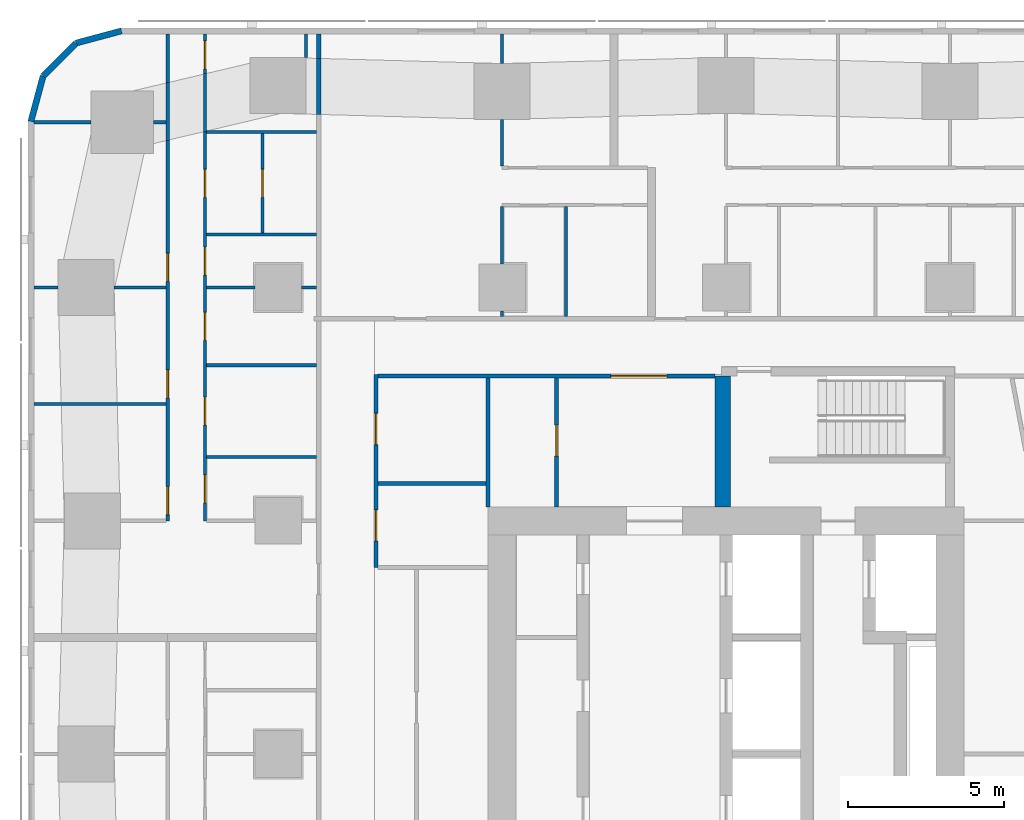
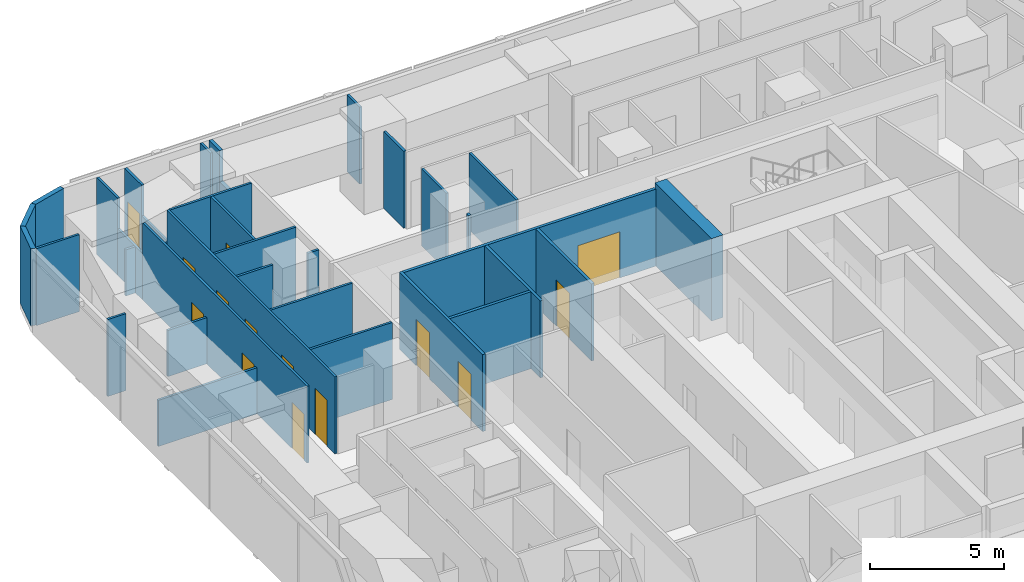
# One storey, part 9 of 15: 35 walls, 14 doors, 14 openings.
"""IFC4 building model written with IfcOpenShell, lengths in metres."""

import ifcopenshell
import ifcopenshell.guid

model = None  # the IFC model being written
_history = None  # IfcOwnerHistory: only IFC2X3 demands one
_inside = {}  # id of a spatial element -> (the spatial element, [elements in it])
_under = {}  # id of a project, library or spatial element -> (it, [spatial elements below it])
_declared = {}  # id of a project -> (the project, [libraries it declares])
_typed = {}  # id of a type object -> (the type object, [elements of that type])
_made_of = {}  # id of a material, layer set ... -> (it, [elements and type objects made of it])


def new_model(schema):
    """Start an empty IFC model of exactly this schema.

    Asked for "IFC4X3", IfcOpenShell would pick the latest addendum, in which some entities
    have other attributes; the version numbers below select the first issue.
    IFC2X3 requires an IfcOwnerHistory on every rooted entity: one is made here for all.
    """
    global model, _history
    if schema == "IFC4X3":
        model = ifcopenshell.file(schema_version=(4, 3, 0, 0))
    else:
        model = ifcopenshell.file(schema=schema)
    _inside.clear()
    _under.clear()
    _declared.clear()
    _typed.clear()
    _made_of.clear()
    _history = None
    if model.schema == "IFC2X3":
        org = make("IfcOrganization", Name="unknown")
        user = make(
            "IfcPersonAndOrganization",
            ThePerson=make("IfcPerson", FamilyName="unknown"),
            TheOrganization=org,
        )
        app = make(
            "IfcApplication",
            ApplicationDeveloper=org,
            Version="unknown",
            ApplicationFullName="unknown",
            ApplicationIdentifier="unknown",
        )
        _history = make(
            "IfcOwnerHistory",
            OwningUser=user,
            OwningApplication=app,
            ChangeAction="ADDED",
            CreationDate=0,
        )
    return model


def make(cls, **values):
    """One entity of the class cls with the attributes given. An attribute that is None is left unset."""
    return model.create_entity(
        cls, **{name: value for name, value in values.items() if value is not None}
    )


def rooted(cls, **values):
    """An entity with a GlobalId (a new one), such as an element, a storey or a relation."""
    return make(cls, GlobalId=ifcopenshell.guid.new(), OwnerHistory=_history, **values)


def si_unit(unit_type, name, prefix=None):
    """IfcSIUnit, for example si_unit("LENGTHUNIT", "METRE", prefix="MILLI")."""
    return make("IfcSIUnit", UnitType=unit_type, Prefix=prefix, Name=name)


def assignment(units):
    """IfcUnitAssignment: the units of a project."""
    return None if units is None else make("IfcUnitAssignment", Units=units)


def point(xyz):
    """IfcCartesianPoint."""
    return None if xyz is None else make("IfcCartesianPoint", Coordinates=xyz)


def direction(xyz):
    """IfcDirection."""
    return None if xyz is None else make("IfcDirection", DirectionRatios=xyz)


def frame(location, z_axis=None, x_axis=None):
    """IfcAxis2Placement3D, a coordinate frame: its origin and axes. An axis left out is left unset."""
    return make(
        "IfcAxis2Placement3D",
        Location=point(location),
        Axis=direction(z_axis),
        RefDirection=direction(x_axis),
    )


def frame_2d(location, x_axis=None):
    """IfcAxis2Placement2D, a coordinate frame in the plane: its origin and x axis."""
    return make(
        "IfcAxis2Placement2D", Location=point(location), RefDirection=direction(x_axis)
    )


def origin():
    """The frame at (0, 0, 0) with its axes left unset."""
    return frame((0.0, 0.0, 0.0))


def place(relative_to, where):
    """IfcLocalPlacement: puts the frame where relative to a parent placement (None: the world)."""
    return make(
        "IfcLocalPlacement", PlacementRelTo=relative_to, RelativePlacement=where
    )


def context(
    kind, dimensions, precision=None, world=None, true_north=None, identifier=None
):
    """IfcGeometricRepresentationContext, for example the 3D "Model" context."""
    return make(
        "IfcGeometricRepresentationContext",
        ContextIdentifier=identifier,
        ContextType=kind,
        CoordinateSpaceDimension=dimensions,
        Precision=precision,
        WorldCoordinateSystem=world,
        TrueNorth=true_north,
    )


def subcontext(parent, identifier, kind, view, scale=None):
    """IfcGeometricRepresentationSubContext, for example "Body" below "Model"."""
    return make(
        "IfcGeometricRepresentationSubContext",
        ContextIdentifier=identifier,
        ContextType=kind,
        ParentContext=parent,
        TargetScale=scale,
        TargetView=view,
    )


def project(units=None, contexts=None):
    """IfcProject with its units and contexts."""
    return rooted(
        "IfcProject",
        Name="project",
        RepresentationContexts=contexts,
        UnitsInContext=assignment(units),
    )


def spatial(cls, under=None, at=None, **own):
    """A site, building, storey or space (cls), placed at a placement, below another one or the project."""
    s = rooted(cls, ObjectPlacement=at, **own)
    if under is not None:
        _under.setdefault(under.id(), (under, []))[1].append(s)
    return s


def profile(cls, at=None, kind="AREA", **sizes):
    """A parametric profile (cls). Its sizes go by their IFC names, for example OverallWidth=200.0."""
    return make(cls, ProfileType=kind, Position=at, **sizes)


def rectangle(**sizes):
    """IfcRectangleProfileDef."""
    return profile("IfcRectangleProfileDef", **sizes)


def extrude(swept, where, along, depth):
    """IfcExtrudedAreaSolid: the profile swept, set in the frame where, extruded along a direction by depth."""
    return make(
        "IfcExtrudedAreaSolid",
        SweptArea=swept,
        Position=where,
        ExtrudedDirection=direction(along),
        Depth=depth,
    )


def shape(context_of_items, identifier, shape_type, items):
    """IfcShapeRepresentation: the items that make up one representation, for example the "Body"."""
    return make(
        "IfcShapeRepresentation",
        ContextOfItems=context_of_items,
        RepresentationIdentifier=identifier,
        RepresentationType=shape_type,
        Items=items,
    )


def material(Name=None, Category=None):
    """IfcMaterial."""
    return make("IfcMaterial", Name=Name, Category=Category)


def layer(
    of_material, thickness, ventilated=None, Name=None, Category=None, Priority=None
):
    """IfcMaterialLayer: one layer of a wall or slab, of a material (None: an air gap)."""
    return make(
        "IfcMaterialLayer",
        Material=of_material,
        LayerThickness=thickness,
        IsVentilated=ventilated,
        Name=Name,
        Category=Category,
        Priority=Priority,
    )


def layer_set(layers, Name=None):
    """IfcMaterialLayerSet."""
    return make("IfcMaterialLayerSet", MaterialLayers=layers, LayerSetName=Name)


def made_of(thing, what):
    """Note that an element or type object is made of a material, layer set ...; save() writes the relation."""
    if what is not None:
        _made_of.setdefault(what.id(), (what, []))[1].append(thing)
    return thing


def type_object(cls, material=None, **own):
    """A type object (cls), such as IfcWallType, which elements share."""
    return made_of(rooted(cls, **own), material)


def element(
    cls,
    number,
    at=None,
    inside=None,
    cuts=None,
    type_object=None,
    material=None,
    context=None,
    identifier="Body",
    shape_type=None,
    held_by="IfcProductDefinitionShape",
    body=None,
    shapes=None,
    **own,
):
    """One element of the class cls, such as IfcWall. Its Tag is "e" and its number.

    at: its placement. inside: the storey or other place that contains it. cuts: it is an
    opening in that element (IfcRelVoidsElement). A single representation is given by context,
    identifier, shape_type and body (its items); several are given by shapes. held_by: the class
    of the entity that holds the representations. save() writes the other relations.
    """
    e = rooted(cls, Tag="e%d" % number, ObjectPlacement=at, **own)
    if body is not None:
        shapes = [shape(context, identifier, shape_type, body)]
    if shapes is not None:
        e.Representation = make(held_by, Representations=shapes)
    if inside is not None:
        _inside.setdefault(inside.id(), (inside, []))[1].append(e)
    if cuts is not None:
        rooted(
            "IfcRelVoidsElement", RelatingBuildingElement=cuts, RelatedOpeningElement=e
        )
    if type_object is not None:
        _typed.setdefault(type_object.id(), (type_object, []))[1].append(e)
    return made_of(e, material)


def fill(opening, filler):
    """IfcRelFillsElement: the door or window that sits in an opening."""
    return rooted(
        "IfcRelFillsElement",
        RelatingOpeningElement=opening,
        RelatedBuildingElement=filler,
    )


def aggregate(whole, parts):
    """IfcRelAggregates: a whole, such as a stair, and the parts it consists of."""
    return rooted("IfcRelAggregates", RelatingObject=whole, RelatedObjects=parts)


def save(model, path):
    """Write the relations noted so far, then the file.

    IfcRelAggregates (storeys below a building ...), IfcRelContainedInSpatialStructure (elements
    in a storey), IfcRelDefinesByType, IfcRelAssociatesMaterial and IfcRelDeclares: one each for
    every whole, place, type object, material and project.
    """
    for whole, parts in _under.values():
        aggregate(whole, parts)
    for where, things in _inside.values():
        rooted(
            "IfcRelContainedInSpatialStructure",
            RelatedElements=things,
            RelatingStructure=where,
        )
    for kind, things in _typed.values():
        rooted("IfcRelDefinesByType", RelatedObjects=things, RelatingType=kind)
    for what, things in _made_of.values():
        rooted("IfcRelAssociatesMaterial", RelatedObjects=things, RelatingMaterial=what)
    for by, libraries in _declared.values():
        rooted("IfcRelDeclares", RelatingContext=by, RelatedDefinitions=libraries)
    model.write(path)


model = new_model("IFC4")

# Units and contexts
model_context = context("Model", 3, precision=1e-05, world=origin(), true_north=direction((0.0, 1.0)))
body_context = subcontext(model_context, "Body", "Model", "MODEL_VIEW")
ifc_project = project(units=[si_unit("LENGTHUNIT", "METRE"), si_unit("AREAUNIT", "SQUARE_METRE"), si_unit("VOLUMEUNIT", "CUBIC_METRE"), si_unit("PLANEANGLEUNIT", "RADIAN"), si_unit("MASSUNIT", "GRAM", prefix="KILO")], contexts=[model_context])

# Site, building, storey
site_placement = place(None, origin())
site = spatial("IfcSite", under=ifc_project, at=site_placement, CompositionType="ELEMENT")
building_placement = place(site_placement, origin())
building = spatial("IfcBuilding", under=site, at=building_placement, Name="Sheger Commons Tower", CompositionType="ELEMENT")
storey_placement = place(building_placement, frame((0.0, 0.0, 165.800048828125)))
storey = spatial("IfcBuildingStorey", under=building, at=storey_placement, Name="L42", CompositionType="ELEMENT", Elevation=165.800048828125)

# Walls
ifc_material_1 = material(Name="Hollow concrete block masonry, skimmed both sides", Category="masonry")
ifc_layer_1 = layer(ifc_material_1, 0.14990234375)
ifc_layer_set_1 = layer_set([ifc_layer_1], Name="CORRIDOR WALL 150")
wall_type_1 = type_object("IfcWallType", Name="CORRIDOR WALL 150", PredefinedType="SOLIDWALL", material=ifc_layer_set_1)
wall_1_placement = place(storey_placement, frame((8.5, 43.06103515625, 0.0), z_axis=(0.0, 0.0, 1.0), x_axis=(0.0, 1.0, 0.0)))
element("IfcWall", 1, at=wall_1_placement, inside=storey, type_object=wall_type_1, Name="Corridor wall L42", PredefinedType="SOLIDWALL", context=body_context, shape_type="SweptSolid", body=[
    extrude(rectangle(XDim=1.804931640625, YDim=0.14990234375, at=frame_2d((0.90234375, 0.0))), origin(), (0.0, 0.0, 1.0), 2.099853515625),
])
wall_2_placement = place(storey_placement, frame((8.5, 44.865966796875, 0.0), z_axis=(0.0, 0.0, 1.0), x_axis=(0.0, 1.0, 0.0)))
element("IfcWall", 2, at=wall_2_placement, inside=storey, type_object=wall_type_1, Name="Corridor wall L42", PredefinedType="SOLIDWALL", context=body_context, shape_type="SweptSolid", body=[
    extrude(rectangle(XDim=0.783935546875, YDim=0.14990234375, at=frame_2d((0.39208984375, 0.0))), origin(), (0.0, 0.0, 1.0), 3.5),
])
ifc_material_2 = material(Name="Rendered concrete block masonry, dark grey", Category="masonry")
ifc_layer_2 = layer(ifc_material_2, 0.199951171875)
ifc_layer_set_2 = layer_set([ifc_layer_2], Name="FACADE WALL 200")
wall_type_2 = type_object("IfcWallType", Name="FACADE WALL 200", PredefinedType="SOLIDWALL", material=ifc_layer_set_2)
wall_3_placement = place(storey_placement, frame((2.1630859375, 45.75, 0.0), z_axis=(0.0, 0.0, 1.0), x_axis=(-0.965832000415, -0.259168954497, 0.0)))
element("IfcWall", 3, at=wall_3_placement, inside=storey, type_object=wall_type_2, Name="Facade wall L42", PredefinedType="SOLIDWALL", context=body_context, shape_type="SweptSolid", body=[
    extrude(rectangle(XDim=1.512939453125, YDim=0.199951171875, at=frame_2d((0.75634765625, 0.0))), origin(), (0.0, 0.0, 1.0), 3.5),
])
wall_4_placement = place(storey_placement, frame((0.701904296875, 45.35791015625, 0.0), z_axis=(0.0, 0.0, 1.0), x_axis=(-0.707106781187, -0.707106781187, 0.0)))
element("IfcWall", 4, at=wall_4_placement, inside=storey, type_object=wall_type_2, Name="Facade wall L42", PredefinedType="SOLIDWALL", context=body_context, shape_type="SweptSolid", body=[
    extrude(rectangle(XDim=1.498779296875, YDim=0.199951171875, at=frame_2d((0.74951171875, 0.0))), origin(), (0.0, 0.0, 1.0), 3.5),
])
wall_5_placement = place(storey_placement, frame((-0.35791015625, 44.298095703125, 0.0), z_axis=(0.0, 0.0, 1.0), x_axis=(-0.259168954497, -0.965832000415, 0.0)))
element("IfcWall", 5, at=wall_5_placement, inside=storey, type_object=wall_type_2, Name="Facade wall L42", PredefinedType="SOLIDWALL", context=body_context, shape_type="SweptSolid", body=[
    extrude(rectangle(XDim=1.512939453125, YDim=0.199951171875, at=frame_2d((0.75634765625, 0.0))), origin(), (0.0, 0.0, 1.0), 3.5),
])
ifc_material_3 = material(Name="Gypsum board on steel studs", Category="steel")
ifc_layer_3 = layer(ifc_material_3, 0.10009765625)
ifc_layer_set_3 = layer_set([ifc_layer_3], Name="PARTITION 100")
wall_type_3 = type_object("IfcWallType", Name="PARTITION 100", PredefinedType="PARTITIONING", material=ifc_layer_set_3)
wall_6_placement = place(storey_placement, frame((8.10009765625, 45.64990234375, 0.0), z_axis=(0.0, 0.0, 1.0), x_axis=(0.0, -1.0, 0.0)))
element("IfcWall", 6, at=wall_6_placement, inside=storey, type_object=wall_type_3, Name="Partition L42", PredefinedType="PARTITIONING", context=body_context, shape_type="SweptSolid", body=[
    extrude(rectangle(XDim=0.7490234375, YDim=0.10009765625, at=frame_2d((0.37451171875, 0.0))), origin(), (0.0, 0.0, 1.0), 3.5),
])

# Wall, openings, doors
wall_7_placement = place(storey_placement, frame((3.64990234375, 30.0, 0.0), z_axis=(0.0, 0.0, 1.0), x_axis=(0.0, 1.0, 0.0)))
wall_7 = element("IfcWall", 7, at=wall_7_placement, inside=storey, type_object=wall_type_3, Name="Partition L42", PredefinedType="PARTITIONING", context=body_context, shape_type="SweptSolid", body=[
    extrude(rectangle(XDim=12.22412109375, YDim=0.10009765625, at=frame_2d((6.112060546875, 0.0))), origin(), (0.0, 0.0, 1.0), 3.5),
])
opening_1_placement = place(wall_7_placement, frame((0.199951171875, 0.0, 0.0)))
opening_1 = element("IfcOpeningElement", 8, at=opening_1_placement, cuts=wall_7, Name="Opening D2", PredefinedType="OPENING", context=body_context, shape_type="SweptSolid", body=[
    extrude(rectangle(XDim=0.89990234375, YDim=2.10009765625, at=frame_2d((0.449951171875, 1.050048828125))), frame((0.0, 0.06005859375, 0.0), z_axis=(0.0, -1.0, 0.0), x_axis=(1.0, 0.0, 0.0)), (0.0, 0.0, 1.0), 0.1201171875),
])
opening_2_placement = place(wall_7_placement, frame((3.949951171875, 0.0, 0.0)))
opening_2 = element("IfcOpeningElement", 9, at=opening_2_placement, cuts=wall_7, Name="Opening D2", PredefinedType="OPENING", context=body_context, shape_type="SweptSolid", body=[
    extrude(rectangle(XDim=0.89990234375, YDim=2.10009765625, at=frame_2d((0.449951171875, 1.050048828125))), frame((0.0, 0.06005859375, 0.0), z_axis=(0.0, -1.0, 0.0), x_axis=(1.0, 0.0, 0.0)), (0.0, 0.0, 1.0), 0.1201171875),
])
opening_3_placement = place(wall_7_placement, frame((7.699951171875, 0.0, 0.0)))
opening_3 = element("IfcOpeningElement", 10, at=opening_3_placement, cuts=wall_7, Name="Opening D2", PredefinedType="OPENING", context=body_context, shape_type="SweptSolid", body=[
    extrude(rectangle(XDim=0.89990234375, YDim=2.10009765625, at=frame_2d((0.449951171875, 1.050048828125))), frame((0.0, 0.06005859375, 0.0), z_axis=(0.0, -1.0, 0.0), x_axis=(1.0, 0.0, 0.0)), (0.0, 0.0, 1.0), 0.1201171875),
])
ifc_material_4 = material(Name="Timber door set", Category="wood")
door_type_1 = type_object("IfcDoorType", Name="INTERNAL DOOR 900x2100", OperationType="NOTDEFINED", PredefinedType="DOOR", material=ifc_material_4)
door_1_placement = place(opening_1_placement, origin())
door_1 = element("IfcDoor", 11, at=door_1_placement, inside=storey, type_object=door_type_1, Name="Main bedroom door", OperationType="SINGLE_SWING_LEFT", OverallHeight=2.10009765625, OverallWidth=0.89990234375, PredefinedType="DOOR", context=body_context, shape_type="SweptSolid", body=[
    extrude(rectangle(XDim=0.89990234375, YDim=2.10009765625, at=frame_2d((0.449951171875, 1.050048828125))), frame((0.0, 0.02490234375, 0.0), z_axis=(0.0, -1.0, 0.0), x_axis=(1.0, 0.0, 0.0)), (0.0, 0.0, 1.0), 0.050048828125),
])
fill(opening_1, door_1)
door_2_placement = place(opening_2_placement, origin())
door_2 = element("IfcDoor", 12, at=door_2_placement, inside=storey, type_object=door_type_1, Name="Bedroom 2 door", OperationType="SINGLE_SWING_LEFT", OverallHeight=2.10009765625, OverallWidth=0.89990234375, PredefinedType="DOOR", context=body_context, shape_type="SweptSolid", body=[
    extrude(rectangle(XDim=0.89990234375, YDim=2.10009765625, at=frame_2d((0.449951171875, 1.050048828125))), frame((0.0, 0.02490234375, 0.0), z_axis=(0.0, -1.0, 0.0), x_axis=(1.0, 0.0, 0.0)), (0.0, 0.0, 1.0), 0.050048828125),
])
fill(opening_2, door_2)
door_3_placement = place(opening_3_placement, origin())
door_3 = element("IfcDoor", 13, at=door_3_placement, inside=storey, type_object=door_type_1, Name="Bedroom 3 door", OperationType="SINGLE_SWING_LEFT", OverallHeight=2.10009765625, OverallWidth=0.89990234375, PredefinedType="DOOR", context=body_context, shape_type="SweptSolid", body=[
    extrude(rectangle(XDim=0.89990234375, YDim=2.10009765625, at=frame_2d((0.449951171875, 1.050048828125))), frame((0.0, 0.02490234375, 0.0), z_axis=(0.0, -1.0, 0.0), x_axis=(1.0, 0.0, 0.0)), (0.0, 0.0, 1.0), 0.050048828125),
])
fill(opening_3, door_3)

# Walls
wall_8_placement = place(storey_placement, frame((3.64990234375, 42.22412109375, 0.0), z_axis=(0.0, 0.0, 1.0), x_axis=(0.0, 1.0, 0.0)))
element("IfcWall", 14, at=wall_8_placement, inside=storey, type_object=wall_type_3, Name="Partition L42", PredefinedType="PARTITIONING", context=body_context, shape_type="SweptSolid", body=[
    extrude(rectangle(XDim=1.872802734375, YDim=0.10009765625, at=frame_2d((0.9365234375, 0.0))), origin(), (0.0, 0.0, 1.0), 2.099853515625),
])
wall_9_placement = place(storey_placement, frame((3.64990234375, 44.096923828125, 0.0), z_axis=(0.0, 0.0, 1.0), x_axis=(0.0, 1.0, 0.0)))
element("IfcWall", 15, at=wall_9_placement, inside=storey, type_object=wall_type_3, Name="Partition L42", PredefinedType="PARTITIONING", context=body_context, shape_type="SweptSolid", body=[
    extrude(rectangle(XDim=1.552978515625, YDim=0.10009765625, at=frame_2d((0.7763671875, 0.0))), origin(), (0.0, 0.0, 1.0), 3.5),
])

# Wall, openings, doors
wall_10_placement = place(storey_placement, frame((4.85009765625, 30.0, 0.0), z_axis=(0.0, 0.0, 1.0), x_axis=(0.0, 1.0, 0.0)))
wall_10 = element("IfcWall", 16, at=wall_10_placement, inside=storey, type_object=wall_type_3, Name="Partition L42", PredefinedType="PARTITIONING", context=body_context, shape_type="SweptSolid", body=[
    extrude(rectangle(XDim=12.507080078125, YDim=0.10009765625, at=frame_2d((6.25341796875, 0.0))), origin(), (0.0, 0.0, 1.0), 3.5),
])
opening_4_placement = place(wall_10_placement, frame((0.574951171875, 0.0, 0.0)))
opening_4 = element("IfcOpeningElement", 17, at=opening_4_placement, cuts=wall_10, Name="Opening D2", PredefinedType="OPENING", context=body_context, shape_type="SweptSolid", body=[
    extrude(rectangle(XDim=0.89990234375, YDim=2.10009765625, at=frame_2d((0.449951171875, 1.050048828125))), frame((0.0, 0.06005859375, 0.0), z_axis=(0.0, -1.0, 0.0), x_axis=(1.0, 0.0, 0.0)), (0.0, 0.0, 1.0), 0.1201171875),
])
opening_5_placement = place(wall_10_placement, frame((5.799072265625, 0.0, 0.0)))
opening_5 = element("IfcOpeningElement", 18, at=opening_5_placement, cuts=wall_10, Name="Opening D2", PredefinedType="OPENING", context=body_context, shape_type="SweptSolid", body=[
    extrude(rectangle(XDim=0.89990234375, YDim=2.10009765625, at=frame_2d((0.449951171875, 1.050048828125))), frame((0.0, 0.06005859375, 0.0), z_axis=(0.0, -1.0, 0.0), x_axis=(1.0, 0.0, 0.0)), (0.0, 0.0, 1.0), 0.1201171875),
])
opening_6_placement = place(wall_10_placement, frame((7.89990234375, 0.0, 0.0)))
opening_6 = element("IfcOpeningElement", 19, at=opening_6_placement, cuts=wall_10, Name="Opening D2", PredefinedType="OPENING", context=body_context, shape_type="SweptSolid", body=[
    extrude(rectangle(XDim=0.89990234375, YDim=2.10009765625, at=frame_2d((0.449951171875, 1.050048828125))), frame((0.0, 0.06005859375, 0.0), z_axis=(0.0, -1.0, 0.0), x_axis=(1.0, 0.0, 0.0)), (0.0, 0.0, 1.0), 0.1201171875),
])
opening_7_placement = place(wall_10_placement, frame((3.074951171875, 0.0, 0.0)))
opening_7 = element("IfcOpeningElement", 20, at=opening_7_placement, cuts=wall_10, Name="Opening D2", PredefinedType="OPENING", context=body_context, shape_type="SweptSolid", body=[
    extrude(rectangle(XDim=0.89990234375, YDim=2.10009765625, at=frame_2d((0.449951171875, 1.050048828125))), frame((0.0, 0.06005859375, 0.0), z_axis=(0.0, -1.0, 0.0), x_axis=(1.0, 0.0, 0.0)), (0.0, 0.0, 1.0), 0.1201171875),
])
opening_8_placement = place(wall_10_placement, frame((10.39990234375, 0.0, 0.0)))
opening_8 = element("IfcOpeningElement", 21, at=opening_8_placement, cuts=wall_10, Name="Opening D2", PredefinedType="OPENING", context=body_context, shape_type="SweptSolid", body=[
    extrude(rectangle(XDim=0.89990234375, YDim=2.10009765625, at=frame_2d((0.449951171875, 1.050048828125))), frame((0.0, 0.06005859375, 0.0), z_axis=(0.0, -1.0, 0.0), x_axis=(1.0, 0.0, 0.0)), (0.0, 0.0, 1.0), 0.1201171875),
])
door_4_placement = place(opening_4_placement, origin())
door_4 = element("IfcDoor", 22, at=door_4_placement, inside=storey, type_object=door_type_1, Name="Bathroom door", OperationType="SINGLE_SWING_RIGHT", OverallHeight=2.10009765625, OverallWidth=0.89990234375, PredefinedType="DOOR", context=body_context, shape_type="SweptSolid", body=[
    extrude(rectangle(XDim=0.89990234375, YDim=2.10009765625, at=frame_2d((0.449951171875, 1.050048828125))), frame((0.0, 0.02490234375, 0.0), z_axis=(0.0, -1.0, 0.0), x_axis=(1.0, 0.0, 0.0)), (0.0, 0.0, 1.0), 0.050048828125),
])
fill(opening_4, door_4)
door_5_placement = place(opening_5_placement, origin())
door_5 = element("IfcDoor", 23, at=door_5_placement, inside=storey, type_object=door_type_1, Name="Store and laundry door", OperationType="SINGLE_SWING_LEFT", OverallHeight=2.10009765625, OverallWidth=0.89990234375, PredefinedType="DOOR", context=body_context, shape_type="SweptSolid", body=[
    extrude(rectangle(XDim=0.89990234375, YDim=2.10009765625, at=frame_2d((0.449951171875, 1.050048828125))), frame((0.0, 0.02490234375, 0.0), z_axis=(0.0, -1.0, 0.0), x_axis=(1.0, 0.0, 0.0)), (0.0, 0.0, 1.0), 0.050048828125),
])
fill(opening_5, door_5)
door_6_placement = place(opening_6_placement, origin())
door_6 = element("IfcDoor", 24, at=door_6_placement, inside=storey, type_object=door_type_1, Name="Laundry room door", OperationType="SINGLE_SWING_LEFT", OverallHeight=2.10009765625, OverallWidth=0.89990234375, PredefinedType="DOOR", context=body_context, shape_type="SweptSolid", body=[
    extrude(rectangle(XDim=0.89990234375, YDim=2.10009765625, at=frame_2d((0.449951171875, 1.050048828125))), frame((0.0, 0.02490234375, 0.0), z_axis=(0.0, -1.0, 0.0), x_axis=(1.0, 0.0, 0.0)), (0.0, 0.0, 1.0), 0.050048828125),
])
fill(opening_6, door_6)
door_7_placement = place(opening_7_placement, origin())
door_7 = element("IfcDoor", 25, at=door_7_placement, inside=storey, type_object=door_type_1, Name="Store door", OperationType="SINGLE_SWING_RIGHT", OverallHeight=2.10009765625, OverallWidth=0.89990234375, PredefinedType="DOOR", context=body_context, shape_type="SweptSolid", body=[
    extrude(rectangle(XDim=0.89990234375, YDim=2.10009765625, at=frame_2d((0.449951171875, 1.050048828125))), frame((0.0, 0.02490234375, 0.0), z_axis=(0.0, -1.0, 0.0), x_axis=(1.0, 0.0, 0.0)), (0.0, 0.0, 1.0), 0.050048828125),
])
fill(opening_7, door_7)
door_8_placement = place(opening_8_placement, origin())
door_8 = element("IfcDoor", 26, at=door_8_placement, inside=storey, type_object=door_type_1, Name="Store door", OperationType="SINGLE_SWING_LEFT", OverallHeight=2.10009765625, OverallWidth=0.89990234375, PredefinedType="DOOR", context=body_context, shape_type="SweptSolid", body=[
    extrude(rectangle(XDim=0.89990234375, YDim=2.10009765625, at=frame_2d((0.449951171875, 1.050048828125))), frame((0.0, 0.02490234375, 0.0), z_axis=(0.0, -1.0, 0.0), x_axis=(1.0, 0.0, 0.0)), (0.0, 0.0, 1.0), 0.050048828125),
])
fill(opening_8, door_8)

# Wall
wall_11_placement = place(storey_placement, frame((4.85009765625, 42.507080078125, 0.0), z_axis=(0.0, 0.0, 1.0), x_axis=(0.0, 1.0, 0.0)))
element("IfcWall", 27, at=wall_11_placement, inside=storey, type_object=wall_type_3, Name="Partition L42", PredefinedType="PARTITIONING", context=body_context, shape_type="SweptSolid", body=[
    extrude(rectangle(XDim=1.8740234375, YDim=0.10009765625, at=frame_2d((0.93701171875, 0.0))), origin(), (0.0, 0.0, 1.0), 2.099853515625),
])

# Wall, opening, door
wall_12_placement = place(storey_placement, frame((4.85009765625, 44.381103515625, 0.0), z_axis=(0.0, 0.0, 1.0), x_axis=(0.0, 1.0, 0.0)))
wall_12 = element("IfcWall", 28, at=wall_12_placement, inside=storey, type_object=wall_type_3, Name="Partition L42", PredefinedType="PARTITIONING", context=body_context, shape_type="SweptSolid", body=[
    extrude(rectangle(XDim=1.268798828125, YDim=0.10009765625, at=frame_2d((0.63427734375, 0.0))), origin(), (0.0, 0.0, 1.0), 3.5),
])
opening_9_placement = place(wall_12_placement, frame((0.14990234375, 0.0, 0.0)))
opening_9 = element("IfcOpeningElement", 29, at=opening_9_placement, cuts=wall_12, Name="Opening D2", PredefinedType="OPENING", context=body_context, shape_type="SweptSolid", body=[
    extrude(rectangle(XDim=0.89990234375, YDim=2.10009765625, at=frame_2d((0.449951171875, 1.050048828125))), frame((0.0, 0.06005859375, 0.0), z_axis=(0.0, -1.0, 0.0), x_axis=(1.0, 0.0, 0.0)), (0.0, 0.0, 1.0), 0.1201171875),
])
door_9_placement = place(opening_9_placement, origin())
door_9 = element("IfcDoor", 30, at=door_9_placement, inside=storey, type_object=door_type_1, Name="Store and laundry door", OperationType="SINGLE_SWING_RIGHT", OverallHeight=2.10009765625, OverallWidth=0.89990234375, PredefinedType="DOOR", context=body_context, shape_type="SweptSolid", body=[
    extrude(rectangle(XDim=0.89990234375, YDim=2.10009765625, at=frame_2d((0.449951171875, 1.050048828125))), frame((0.0, 0.02490234375, 0.0), z_axis=(0.0, -1.0, 0.0), x_axis=(1.0, 0.0, 0.0)), (0.0, 0.0, 1.0), 0.050048828125),
])
fill(opening_9, door_9)

# Walls
wall_13_placement = place(storey_placement, frame((-0.64990234375, 33.75, 0.0), z_axis=(0.0, 0.0, 1.0), x_axis=(1.0, 0.0, 0.0)))
element("IfcWall", 31, at=wall_13_placement, inside=storey, type_object=wall_type_3, Name="Partition L42", PredefinedType="PARTITIONING", context=body_context, shape_type="SweptSolid", body=[
    extrude(rectangle(XDim=4.25, YDim=0.10009765625, at=frame_2d((2.125, 0.0))), origin(), (0.0, 0.0, 1.0), 2.099853515625),
])
wall_14_placement = place(storey_placement, frame((-0.64990234375, 37.5, 0.0), z_axis=(0.0, 0.0, 1.0), x_axis=(1.0, 0.0, 0.0)))
element("IfcWall", 32, at=wall_14_placement, inside=storey, type_object=wall_type_3, Name="Partition L42", PredefinedType="PARTITIONING", context=body_context, shape_type="SweptSolid", body=[
    extrude(rectangle(XDim=0.77392578125, YDim=0.10009765625, at=frame_2d((0.386962890625, 0.0))), origin(), (0.0, 0.0, 1.0), 3.5),
])
wall_15_placement = place(storey_placement, frame((1.926025390625, 37.5, 0.0), z_axis=(0.0, 0.0, 1.0), x_axis=(1.0, 0.0, 0.0)))
element("IfcWall", 33, at=wall_15_placement, inside=storey, type_object=wall_type_3, Name="Partition L42", PredefinedType="PARTITIONING", context=body_context, shape_type="SweptSolid", body=[
    extrude(rectangle(XDim=1.674072265625, YDim=0.10009765625, at=frame_2d((0.8369140625, 0.0))), origin(), (0.0, 0.0, 1.0), 2.099853515625),
])
wall_16_placement = place(storey_placement, frame((-0.64990234375, 42.81396484375, 0.0), z_axis=(0.0, 0.0, 1.0), x_axis=(1.0, 0.0, 0.0)))
element("IfcWall", 34, at=wall_16_placement, inside=storey, type_object=wall_type_3, Name="Partition L42", PredefinedType="PARTITIONING", context=body_context, shape_type="SweptSolid", body=[
    extrude(rectangle(XDim=1.8349609375, YDim=0.10009765625, at=frame_2d((0.91748046875, 0.0))), origin(), (0.0, 0.0, 1.0), 3.5),
])
wall_17_placement = place(storey_placement, frame((3.18701171875, 42.81396484375, 0.0), z_axis=(0.0, 0.0, 1.0), x_axis=(1.0, 0.0, 0.0)))
element("IfcWall", 35, at=wall_17_placement, inside=storey, type_object=wall_type_3, Name="Partition L42", PredefinedType="PARTITIONING", context=body_context, shape_type="SweptSolid", body=[
    extrude(rectangle(XDim=0.4130859375, YDim=0.10009765625, at=frame_2d((0.20654296875, 0.0))), origin(), (0.0, 0.0, 1.0), 2.099853515625),
])
wall_18_placement = place(storey_placement, frame((4.89990234375, 34.9990234375, 0.0), z_axis=(0.0, 0.0, 1.0), x_axis=(1.0, 0.0, 0.0)))
element("IfcWall", 36, at=wall_18_placement, inside=storey, type_object=wall_type_3, Name="Partition L42", PredefinedType="PARTITIONING", context=body_context, shape_type="SweptSolid", body=[
    extrude(rectangle(XDim=3.525146484375, YDim=0.10009765625, at=frame_2d((1.7626953125, 0.0))), origin(), (0.0, 0.0, 1.0), 3.5),
])
wall_19_placement = place(storey_placement, frame((4.89990234375, 37.5, 0.0), z_axis=(0.0, 0.0, 1.0), x_axis=(1.0, 0.0, 0.0)))
element("IfcWall", 37, at=wall_19_placement, inside=storey, type_object=wall_type_3, Name="Partition L42", PredefinedType="PARTITIONING", context=body_context, shape_type="SweptSolid", body=[
    extrude(rectangle(XDim=1.549072265625, YDim=0.10009765625, at=frame_2d((0.7744140625, 0.0))), origin(), (0.0, 0.0, 1.0), 3.5),
])
wall_20_placement = place(storey_placement, frame((7.950927734375, 37.5, 0.0), z_axis=(0.0, 0.0, 1.0), x_axis=(1.0, 0.0, 0.0)))
element("IfcWall", 38, at=wall_20_placement, inside=storey, type_object=wall_type_3, Name="Partition L42", PredefinedType="PARTITIONING", context=body_context, shape_type="SweptSolid", body=[
    extrude(rectangle(XDim=0.47412109375, YDim=0.10009765625, at=frame_2d((0.237060546875, 0.0))), origin(), (0.0, 0.0, 1.0), 3.5),
])
for number, where, z_axis, x_axis, name in (
    (39, (4.89990234375, 42.4990234375, 0.0), (0.0, 0.0, 1.0), (1.0, 0.0, 0.0), "Partition L42"),
    (40, (4.89990234375, 32.050048828125, 0.0), (0.0, 0.0, 1.0), (1.0, 0.0, 0.0), "Partition L42"),
    (41, (4.89990234375, 39.199951171875, 0.0), (0.0, 0.0, 1.0), (1.0, 0.0, 0.0), "Partition L42"),
):
    element("IfcWall", number, at=place(storey_placement, frame(where, z_axis=z_axis, x_axis=x_axis)), inside=storey, type_object=wall_type_3, Name=name, PredefinedType="PARTITIONING", context=body_context, shape_type="SweptSolid", body=[
        extrude(rectangle(XDim=3.525146484375, YDim=0.10009765625, at=frame_2d((1.7626953125, 0.0))), origin(), (0.0, 0.0, 1.0), 3.5),
    ])
wall_21_placement = place(storey_placement, frame((14.39990234375, 41.39990234375, 0.0), z_axis=(0.0, 0.0, 1.0), x_axis=(0.0, 1.0, 0.0)))
element("IfcWall", 42, at=wall_21_placement, inside=storey, type_object=wall_type_3, Name="Partition L42", PredefinedType="PARTITIONING", context=body_context, shape_type="SweptSolid", body=[
    extrude(rectangle(XDim=1.4990234375, YDim=0.10009765625, at=frame_2d((0.74951171875, 0.0))), origin(), (0.0, 0.0, 1.0), 3.5),
])
wall_22_placement = place(storey_placement, frame((14.39990234375, 44.700927734375, 0.0), z_axis=(0.0, 0.0, 1.0), x_axis=(0.0, 1.0, 0.0)))
element("IfcWall", 43, at=wall_22_placement, inside=storey, type_object=wall_type_3, Name="Partition L42", PredefinedType="PARTITIONING", context=body_context, shape_type="SweptSolid", body=[
    extrude(rectangle(XDim=0.948974609375, YDim=0.10009765625, at=frame_2d((0.474609375, 0.0))), origin(), (0.0, 0.0, 1.0), 3.5),
])
wall_23_placement = place(storey_placement, frame((14.39990234375, 36.574951171875, 0.0), z_axis=(0.0, 0.0, 1.0), x_axis=(0.0, 1.0, 0.0)))
element("IfcWall", 44, at=wall_23_placement, inside=storey, type_object=wall_type_3, Name="Partition L42", PredefinedType="PARTITIONING", context=body_context, shape_type="SweptSolid", body=[
    extrude(rectangle(XDim=0.174072265625, YDim=0.10009765625, at=frame_2d((0.0869140625, 0.0))), origin(), (0.0, 0.0, 1.0), 3.5),
])
wall_24_placement = place(storey_placement, frame((14.39990234375, 38.2509765625, 0.0), z_axis=(0.0, 0.0, 1.0), x_axis=(0.0, 1.0, 0.0)))
element("IfcWall", 45, at=wall_24_placement, inside=storey, type_object=wall_type_3, Name="Partition L42", PredefinedType="PARTITIONING", context=body_context, shape_type="SweptSolid", body=[
    extrude(rectangle(XDim=1.84912109375, YDim=0.10009765625, at=frame_2d((0.924560546875, 0.0))), origin(), (0.0, 0.0, 1.0), 3.5),
])
wall_25_placement = place(storey_placement, frame((16.449951171875, 36.574951171875, 0.0), z_axis=(0.0, 0.0, 1.0), x_axis=(0.0, 1.0, 0.0)))
element("IfcWall", 46, at=wall_25_placement, inside=storey, type_object=wall_type_3, Name="Partition L42", PredefinedType="PARTITIONING", context=body_context, shape_type="SweptSolid", body=[
    extrude(rectangle(XDim=3.525146484375, YDim=0.10009765625, at=frame_2d((1.7626953125, 0.0))), origin(), (0.0, 0.0, 1.0), 3.5),
])

# Wall, opening, door
wall_26_placement = place(storey_placement, frame((6.699951171875, 39.25, 0.0), z_axis=(0.0, 0.0, 1.0), x_axis=(0.0, 1.0, 0.0)))
wall_26 = element("IfcWall", 47, at=wall_26_placement, inside=storey, type_object=wall_type_3, Name="Partition L42", PredefinedType="PARTITIONING", context=body_context, shape_type="SweptSolid", body=[
    extrude(rectangle(XDim=3.198974609375, YDim=0.10009765625, at=frame_2d((1.599609375, 0.0))), origin(), (0.0, 0.0, 1.0), 3.5),
])
opening_10_placement = place(wall_26_placement, frame((1.14990234375, 0.0, 0.0)))
opening_10 = element("IfcOpeningElement", 48, at=opening_10_placement, cuts=wall_26, Name="Opening D2", PredefinedType="OPENING", context=body_context, shape_type="SweptSolid", body=[
    extrude(rectangle(XDim=0.89990234375, YDim=2.10009765625, at=frame_2d((0.449951171875, 1.050048828125))), frame((0.0, 0.06005859375, 0.0), z_axis=(0.0, -1.0, 0.0), x_axis=(1.0, 0.0, 0.0)), (0.0, 0.0, 1.0), 0.1201171875),
])
door_10_placement = place(opening_10_placement, origin())
door_10 = element("IfcDoor", 49, at=door_10_placement, inside=storey, type_object=door_type_1, Name="Store door", OperationType="SINGLE_SWING_RIGHT", OverallHeight=2.10009765625, OverallWidth=0.89990234375, PredefinedType="DOOR", context=body_context, shape_type="SweptSolid", body=[
    extrude(rectangle(XDim=0.89990234375, YDim=2.10009765625, at=frame_2d((0.449951171875, 1.050048828125))), frame((0.0, 0.02490234375, 0.0), z_axis=(0.0, -1.0, 0.0), x_axis=(1.0, 0.0, 0.0)), (0.0, 0.0, 1.0), 0.050048828125),
])
fill(opening_10, door_10)

# Wall, openings, doors
ifc_material_5 = material(Name="Gypsum board on steel studs, two layers each side, fire rated", Category="steel")
ifc_layer_4 = layer(ifc_material_5, 0.125)
ifc_layer_set_4 = layer_set([ifc_layer_4], Name="SERVICE WALL 125")
wall_type_4 = type_object("IfcWallType", Name="SERVICE WALL 125", PredefinedType="PARTITIONING", material=ifc_layer_set_4)
wall_27_placement = place(storey_placement, frame((10.35009765625, 28.5, 0.0), z_axis=(0.0, 0.0, 1.0), x_axis=(0.0, 1.0, 0.0)))
wall_27 = element("IfcWall", 50, at=wall_27_placement, inside=storey, type_object=wall_type_4, Name="Service room wall L42", PredefinedType="PARTITIONING", context=body_context, shape_type="SweptSolid", body=[
    extrude(rectangle(XDim=6.199951171875, YDim=0.125, at=frame_2d((3.10009765625, 0.0))), origin(), (0.0, 0.0, 1.0), 3.5),
])
opening_11_placement = place(wall_27_placement, frame((0.85009765625, 0.0, 0.0)))
opening_11 = element("IfcOpeningElement", 51, at=opening_11_placement, cuts=wall_27, Name="Opening D4", PredefinedType="OPENING", context=body_context, shape_type="SweptSolid", body=[
    extrude(rectangle(XDim=1.0, YDim=2.10009765625, at=frame_2d((0.5, 1.050048828125))), frame((0.0, 0.072509765625, 0.0), z_axis=(0.0, -1.0, 0.0), x_axis=(1.0, 0.0, 0.0)), (0.0, 0.0, 1.0), 0.14501953125),
])
opening_12_placement = place(wall_27_placement, frame((3.949951171875, 0.0, 0.0)))
opening_12 = element("IfcOpeningElement", 52, at=opening_12_placement, cuts=wall_27, Name="Opening D4", PredefinedType="OPENING", context=body_context, shape_type="SweptSolid", body=[
    extrude(rectangle(XDim=1.0, YDim=2.10009765625, at=frame_2d((0.5, 1.050048828125))), frame((0.0, 0.072509765625, 0.0), z_axis=(0.0, -1.0, 0.0), x_axis=(1.0, 0.0, 0.0)), (0.0, 0.0, 1.0), 0.14501953125),
])
ifc_material_6 = material(Name="Steel door set, fire rated", Category="steel")
door_type_2 = type_object("IfcDoorType", Name="SERVICE DOOR 1000x2100", OperationType="NOTDEFINED", PredefinedType="DOOR", material=ifc_material_6)
door_11_placement = place(opening_11_placement, origin())
door_11 = element("IfcDoor", 53, at=door_11_placement, inside=storey, type_object=door_type_2, Name="Cleaner's store door", OperationType="SINGLE_SWING_RIGHT", OverallHeight=2.10009765625, OverallWidth=1.0, PredefinedType="DOOR", context=body_context, shape_type="SweptSolid", body=[
    extrude(rectangle(XDim=1.0, YDim=2.10009765625, at=frame_2d((0.5, 1.050048828125))), frame((0.0, 0.02490234375, 0.0), z_axis=(0.0, -1.0, 0.0), x_axis=(1.0, 0.0, 0.0)), (0.0, 0.0, 1.0), 0.050048828125),
])
fill(opening_11, door_11)
door_12_placement = place(opening_12_placement, origin())
door_12 = element("IfcDoor", 54, at=door_12_placement, inside=storey, type_object=door_type_2, Name="Linen store door", OperationType="SINGLE_SWING_LEFT", OverallHeight=2.10009765625, OverallWidth=1.0, PredefinedType="DOOR", context=body_context, shape_type="SweptSolid", body=[
    extrude(rectangle(XDim=1.0, YDim=2.10009765625, at=frame_2d((0.5, 1.050048828125))), frame((0.0, 0.02490234375, 0.0), z_axis=(0.0, -1.0, 0.0), x_axis=(1.0, 0.0, 0.0)), (0.0, 0.0, 1.0), 0.050048828125),
])
fill(opening_12, door_12)

# Walls
wall_28_placement = place(storey_placement, frame((10.4130859375, 31.199951171875, 0.0), z_axis=(0.0, 0.0, 1.0), x_axis=(1.0, 0.0, 0.0)))
element("IfcWall", 55, at=wall_28_placement, inside=storey, type_object=wall_type_4, Name="Service room wall L42", PredefinedType="PARTITIONING", context=body_context, shape_type="SweptSolid", body=[
    extrude(rectangle(XDim=3.474853515625, YDim=0.125, at=frame_2d((1.7373046875, 0.0))), origin(), (0.0, 0.0, 1.0), 3.5),
])
wall_29_placement = place(storey_placement, frame((13.949951171875, 30.449951171875, 0.0), z_axis=(0.0, 0.0, 1.0), x_axis=(0.0, 1.0, 0.0)))
element("IfcWall", 56, at=wall_29_placement, inside=storey, type_object=wall_type_4, Name="Service room wall L42", PredefinedType="PARTITIONING", context=body_context, shape_type="SweptSolid", body=[
    extrude(rectangle(XDim=4.136962890625, YDim=0.125, at=frame_2d((2.068359375, 0.0))), origin(), (0.0, 0.0, 1.0), 3.5),
])

# Wall, opening, door
wall_30_placement = place(storey_placement, frame((10.4130859375, 34.64990234375, 0.0), z_axis=(0.0, 0.0, 1.0), x_axis=(1.0, 0.0, 0.0)))
wall_30 = element("IfcWall", 57, at=wall_30_placement, inside=storey, type_object=wall_type_4, Name="Service room wall L42", PredefinedType="PARTITIONING", context=body_context, shape_type="SweptSolid", body=[
    extrude(rectangle(XDim=10.8369140625, YDim=0.125, at=frame_2d((5.41845703125, 0.0))), origin(), (0.0, 0.0, 1.0), 3.5),
])
opening_13_placement = place(wall_30_placement, frame((7.487060546875, 0.0, 0.0)))
opening_13 = element("IfcOpeningElement", 58, at=opening_13_placement, cuts=wall_30, Name="Opening D6", PredefinedType="OPENING", context=body_context, shape_type="SweptSolid", body=[
    extrude(rectangle(XDim=1.800048828125, YDim=2.10009765625, at=frame_2d((0.89990234375, 1.050048828125))), frame((0.0, 0.072509765625, 0.0), z_axis=(0.0, -1.0, 0.0), x_axis=(1.0, 0.0, 0.0)), (0.0, 0.0, 1.0), 0.14501953125),
])
ifc_material_7 = material(Name="Steel door set, fire rated", Category="steel")
door_type_3 = type_object("IfcDoorType", Name="LOBBY DOUBLE DOOR 1800x2100", OperationType="DOUBLE_DOOR_SINGLE_SWING", PredefinedType="DOOR", material=ifc_material_7)
door_13_placement = place(opening_13_placement, origin())
door_13 = element("IfcDoor", 59, at=door_13_placement, inside=storey, type_object=door_type_3, Name="Lift lobby north door", OperationType="DOUBLE_DOOR_SINGLE_SWING", OverallHeight=2.10009765625, OverallWidth=1.800048828125, PredefinedType="DOOR", context=body_context, shape_type="SweptSolid", body=[
    extrude(rectangle(XDim=1.800048828125, YDim=2.10009765625, at=frame_2d((0.89990234375, 1.050048828125))), frame((0.0, 0.02490234375, 0.0), z_axis=(0.0, -1.0, 0.0), x_axis=(1.0, 0.0, 0.0)), (0.0, 0.0, 1.0), 0.050048828125),
])
fill(opening_13, door_13)

wall_31_placement = place(storey_placement, frame((16.14990234375, 30.449951171875, 0.0), z_axis=(0.0, 0.0, 1.0), x_axis=(0.0, 1.0, 0.0)))
wall_31 = element("IfcWall", 60, at=wall_31_placement, inside=storey, type_object=wall_type_4, Name="Service room wall L42", PredefinedType="PARTITIONING", context=body_context, shape_type="SweptSolid", body=[
    extrude(rectangle(XDim=4.136962890625, YDim=0.125, at=frame_2d((2.068359375, 0.0))), origin(), (0.0, 0.0, 1.0), 3.5),
])
opening_14_placement = place(wall_31_placement, frame((1.625, 0.0, 0.0)))
opening_14 = element("IfcOpeningElement", 61, at=opening_14_placement, cuts=wall_31, Name="Opening D4", PredefinedType="OPENING", context=body_context, shape_type="SweptSolid", body=[
    extrude(rectangle(XDim=1.0, YDim=2.10009765625, at=frame_2d((0.5, 1.050048828125))), frame((0.0, 0.072509765625, 0.0), z_axis=(0.0, -1.0, 0.0), x_axis=(1.0, 0.0, 0.0)), (0.0, 0.0, 1.0), 0.14501953125),
])
door_14_placement = place(opening_14_placement, origin())
door_14 = element("IfcDoor", 62, at=door_14_placement, inside=storey, type_object=door_type_2, Name="Telecom room door", OperationType="SINGLE_SWING_RIGHT", OverallHeight=2.10009765625, OverallWidth=1.0, PredefinedType="DOOR", context=body_context, shape_type="SweptSolid", body=[
    extrude(rectangle(XDim=1.0, YDim=2.10009765625, at=frame_2d((0.5, 1.050048828125))), frame((0.0, 0.02490234375, 0.0), z_axis=(0.0, -1.0, 0.0), x_axis=(1.0, 0.0, 0.0)), (0.0, 0.0, 1.0), 0.050048828125),
])
fill(opening_14, door_14)

# Wall
ifc_material_8 = material(Name="Concrete C50/60", Category="concrete")
ifc_layer_5 = layer(ifc_material_8, 0.5)
ifc_layer_set_5 = layer_set([ifc_layer_5], Name="STAIR CORE WALL 500")
wall_type_5 = type_object("IfcWallType", Name="STAIR CORE WALL 500", PredefinedType="SHEAR", material=ifc_layer_set_5)
wall_32_placement = place(storey_placement, frame((21.5, 30.449951171875, 0.0), z_axis=(0.0, 0.0, 1.0), x_axis=(0.0, 1.0, 0.0)))
element("IfcWall", 63, at=wall_32_placement, inside=storey, type_object=wall_type_5, Name="STW-L42-S2W", PredefinedType="SHEAR", context=body_context, shape_type="SweptSolid", body=[
    extrude(rectangle(XDim=4.199951171875, YDim=0.5, at=frame_2d((2.10009765625, 0.0))), origin(), (0.0, 0.0, 1.0), 3.75),
])

save(model, "model.ifc")
